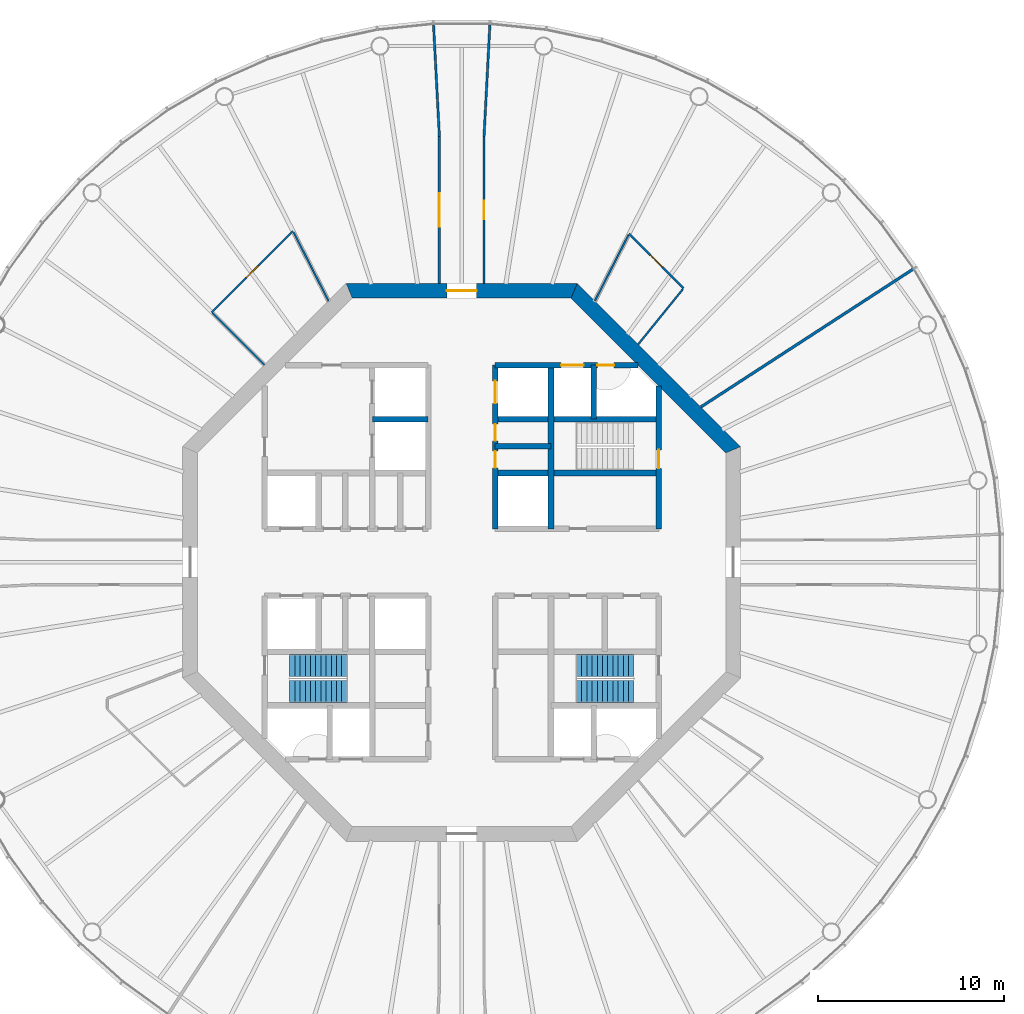
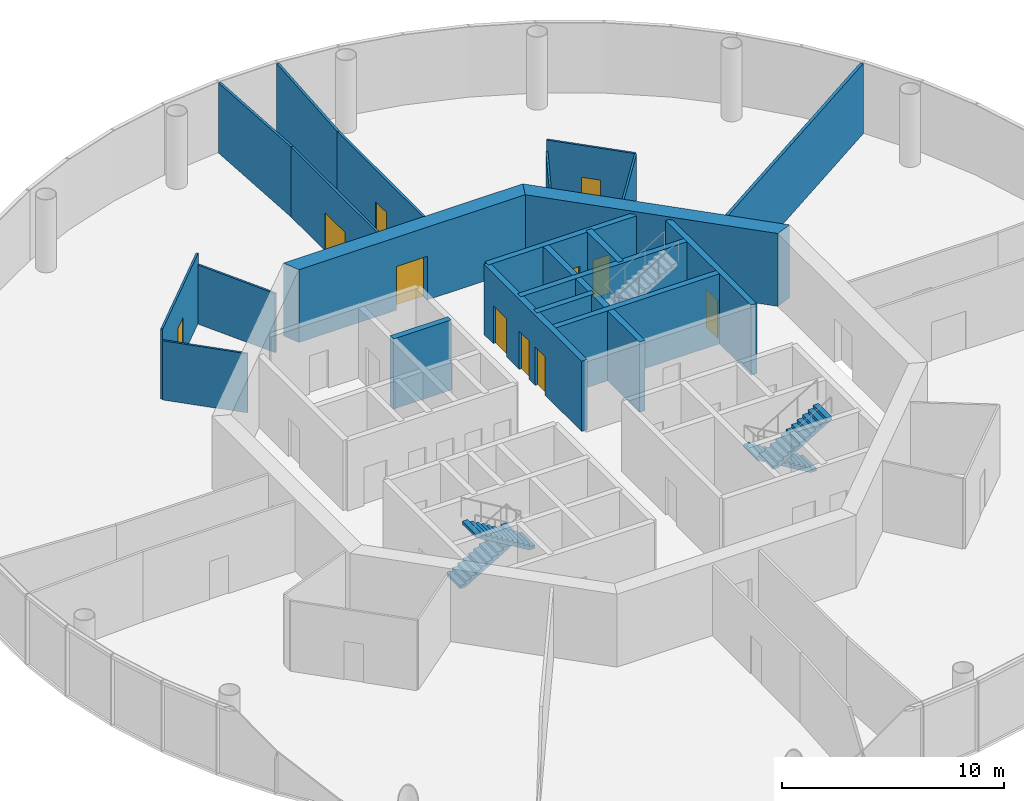
# One storey, part 5 of 13: 22 walls, 11 doors, 4 stair flights, 11 openings, 2 elements without a shape of their own.
"""IFC4 building model written with IfcOpenShell, lengths in metres."""

import ifcopenshell
import ifcopenshell.guid

model = None  # the IFC model being written
_history = None  # IfcOwnerHistory: only IFC2X3 demands one
_inside = {}  # id of a spatial element -> (the spatial element, [elements in it])
_under = {}  # id of a project, library or spatial element -> (it, [spatial elements below it])
_declared = {}  # id of a project -> (the project, [libraries it declares])
_typed = {}  # id of a type object -> (the type object, [elements of that type])
_made_of = {}  # id of a material, layer set ... -> (it, [elements and type objects made of it])


def new_model(schema):
    """Start an empty IFC model of exactly this schema.

    Asked for "IFC4X3", IfcOpenShell would pick the latest addendum, in which some entities
    have other attributes; the version numbers below select the first issue.
    IFC2X3 requires an IfcOwnerHistory on every rooted entity: one is made here for all.
    """
    global model, _history
    if schema == "IFC4X3":
        model = ifcopenshell.file(schema_version=(4, 3, 0, 0))
    else:
        model = ifcopenshell.file(schema=schema)
    _inside.clear()
    _under.clear()
    _declared.clear()
    _typed.clear()
    _made_of.clear()
    _history = None
    if model.schema == "IFC2X3":
        org = make("IfcOrganization", Name="unknown")
        user = make(
            "IfcPersonAndOrganization",
            ThePerson=make("IfcPerson", FamilyName="unknown"),
            TheOrganization=org,
        )
        app = make(
            "IfcApplication",
            ApplicationDeveloper=org,
            Version="unknown",
            ApplicationFullName="unknown",
            ApplicationIdentifier="unknown",
        )
        _history = make(
            "IfcOwnerHistory",
            OwningUser=user,
            OwningApplication=app,
            ChangeAction="ADDED",
            CreationDate=0,
        )
    return model


def make(cls, **values):
    """One entity of the class cls with the attributes given. An attribute that is None is left unset."""
    return model.create_entity(
        cls, **{name: value for name, value in values.items() if value is not None}
    )


def rooted(cls, **values):
    """An entity with a GlobalId (a new one), such as an element, a storey or a relation."""
    return make(cls, GlobalId=ifcopenshell.guid.new(), OwnerHistory=_history, **values)


def si_unit(unit_type, name, prefix=None):
    """IfcSIUnit, for example si_unit("LENGTHUNIT", "METRE", prefix="MILLI")."""
    return make("IfcSIUnit", UnitType=unit_type, Prefix=prefix, Name=name)


def assignment(units):
    """IfcUnitAssignment: the units of a project."""
    return None if units is None else make("IfcUnitAssignment", Units=units)


def point(xyz):
    """IfcCartesianPoint."""
    return None if xyz is None else make("IfcCartesianPoint", Coordinates=xyz)


def direction(xyz):
    """IfcDirection."""
    return None if xyz is None else make("IfcDirection", DirectionRatios=xyz)


def frame(location, z_axis=None, x_axis=None):
    """IfcAxis2Placement3D, a coordinate frame: its origin and axes. An axis left out is left unset."""
    return make(
        "IfcAxis2Placement3D",
        Location=point(location),
        Axis=direction(z_axis),
        RefDirection=direction(x_axis),
    )


def frame_2d(location, x_axis=None):
    """IfcAxis2Placement2D, a coordinate frame in the plane: its origin and x axis."""
    return make(
        "IfcAxis2Placement2D", Location=point(location), RefDirection=direction(x_axis)
    )


def origin():
    """The frame at (0, 0, 0) with its axes left unset."""
    return frame((0.0, 0.0, 0.0))


def place(relative_to, where):
    """IfcLocalPlacement: puts the frame where relative to a parent placement (None: the world)."""
    return make(
        "IfcLocalPlacement", PlacementRelTo=relative_to, RelativePlacement=where
    )


def context(
    kind, dimensions, precision=None, world=None, true_north=None, identifier=None
):
    """IfcGeometricRepresentationContext, for example the 3D "Model" context."""
    return make(
        "IfcGeometricRepresentationContext",
        ContextIdentifier=identifier,
        ContextType=kind,
        CoordinateSpaceDimension=dimensions,
        Precision=precision,
        WorldCoordinateSystem=world,
        TrueNorth=true_north,
    )


def subcontext(parent, identifier, kind, view, scale=None):
    """IfcGeometricRepresentationSubContext, for example "Body" below "Model"."""
    return make(
        "IfcGeometricRepresentationSubContext",
        ContextIdentifier=identifier,
        ContextType=kind,
        ParentContext=parent,
        TargetScale=scale,
        TargetView=view,
    )


def project(units=None, contexts=None):
    """IfcProject with its units and contexts."""
    return rooted(
        "IfcProject",
        Name="project",
        RepresentationContexts=contexts,
        UnitsInContext=assignment(units),
    )


def spatial(cls, under=None, at=None, **own):
    """A site, building, storey or space (cls), placed at a placement, below another one or the project."""
    s = rooted(cls, ObjectPlacement=at, **own)
    if under is not None:
        _under.setdefault(under.id(), (under, []))[1].append(s)
    return s


def polyline(points):
    """IfcPolyline through the points."""
    return make("IfcPolyline", Points=[point(p) for p in points])


def profile(cls, at=None, kind="AREA", **sizes):
    """A parametric profile (cls). Its sizes go by their IFC names, for example OverallWidth=200.0."""
    return make(cls, ProfileType=kind, Position=at, **sizes)


def rectangle(**sizes):
    """IfcRectangleProfileDef."""
    return profile("IfcRectangleProfileDef", **sizes)


def outline(outer, holes=None, kind="AREA"):
    """IfcArbitraryClosedProfileDef: a profile drawn as a closed curve; with holes, ...WithVoids."""
    if holes is None:
        return make("IfcArbitraryClosedProfileDef", ProfileType=kind, OuterCurve=outer)
    return make(
        "IfcArbitraryProfileDefWithVoids",
        ProfileType=kind,
        OuterCurve=outer,
        InnerCurves=holes,
    )


def extrude(swept, where, along, depth):
    """IfcExtrudedAreaSolid: the profile swept, set in the frame where, extruded along a direction by depth."""
    return make(
        "IfcExtrudedAreaSolid",
        SweptArea=swept,
        Position=where,
        ExtrudedDirection=direction(along),
        Depth=depth,
    )


def shape(context_of_items, identifier, shape_type, items):
    """IfcShapeRepresentation: the items that make up one representation, for example the "Body"."""
    return make(
        "IfcShapeRepresentation",
        ContextOfItems=context_of_items,
        RepresentationIdentifier=identifier,
        RepresentationType=shape_type,
        Items=items,
    )


def material(Name=None, Category=None):
    """IfcMaterial."""
    return make("IfcMaterial", Name=Name, Category=Category)


def layer(
    of_material, thickness, ventilated=None, Name=None, Category=None, Priority=None
):
    """IfcMaterialLayer: one layer of a wall or slab, of a material (None: an air gap)."""
    return make(
        "IfcMaterialLayer",
        Material=of_material,
        LayerThickness=thickness,
        IsVentilated=ventilated,
        Name=Name,
        Category=Category,
        Priority=Priority,
    )


def layer_set(layers, Name=None):
    """IfcMaterialLayerSet."""
    return make("IfcMaterialLayerSet", MaterialLayers=layers, LayerSetName=Name)


def made_of(thing, what):
    """Note that an element or type object is made of a material, layer set ...; save() writes the relation."""
    if what is not None:
        _made_of.setdefault(what.id(), (what, []))[1].append(thing)
    return thing


def type_object(cls, material=None, **own):
    """A type object (cls), such as IfcWallType, which elements share."""
    return made_of(rooted(cls, **own), material)


def element(
    cls,
    number,
    at=None,
    inside=None,
    cuts=None,
    type_object=None,
    material=None,
    context=None,
    identifier="Body",
    shape_type=None,
    held_by="IfcProductDefinitionShape",
    body=None,
    shapes=None,
    **own,
):
    """One element of the class cls, such as IfcWall. Its Tag is "e" and its number.

    at: its placement. inside: the storey or other place that contains it. cuts: it is an
    opening in that element (IfcRelVoidsElement). A single representation is given by context,
    identifier, shape_type and body (its items); several are given by shapes. held_by: the class
    of the entity that holds the representations. save() writes the other relations.
    """
    e = rooted(cls, Tag="e%d" % number, ObjectPlacement=at, **own)
    if body is not None:
        shapes = [shape(context, identifier, shape_type, body)]
    if shapes is not None:
        e.Representation = make(held_by, Representations=shapes)
    if inside is not None:
        _inside.setdefault(inside.id(), (inside, []))[1].append(e)
    if cuts is not None:
        rooted(
            "IfcRelVoidsElement", RelatingBuildingElement=cuts, RelatedOpeningElement=e
        )
    if type_object is not None:
        _typed.setdefault(type_object.id(), (type_object, []))[1].append(e)
    return made_of(e, material)


def fill(opening, filler):
    """IfcRelFillsElement: the door or window that sits in an opening."""
    return rooted(
        "IfcRelFillsElement",
        RelatingOpeningElement=opening,
        RelatedBuildingElement=filler,
    )


def aggregate(whole, parts):
    """IfcRelAggregates: a whole, such as a stair, and the parts it consists of."""
    return rooted("IfcRelAggregates", RelatingObject=whole, RelatedObjects=parts)


def save(model, path):
    """Write the relations noted so far, then the file.

    IfcRelAggregates (storeys below a building ...), IfcRelContainedInSpatialStructure (elements
    in a storey), IfcRelDefinesByType, IfcRelAssociatesMaterial and IfcRelDeclares: one each for
    every whole, place, type object, material and project.
    """
    for whole, parts in _under.values():
        aggregate(whole, parts)
    for where, things in _inside.values():
        rooted(
            "IfcRelContainedInSpatialStructure",
            RelatedElements=things,
            RelatingStructure=where,
        )
    for kind, things in _typed.values():
        rooted("IfcRelDefinesByType", RelatedObjects=things, RelatingType=kind)
    for what, things in _made_of.values():
        rooted("IfcRelAssociatesMaterial", RelatedObjects=things, RelatingMaterial=what)
    for by, libraries in _declared.values():
        rooted("IfcRelDeclares", RelatingContext=by, RelatedDefinitions=libraries)
    model.write(path)


model = new_model("IFC4")

# Units and contexts
model_context = context("Model", 3, precision=1e-05, world=origin(), true_north=direction((0.0, 1.0)))
body_context = subcontext(model_context, "Body", "Model", "MODEL_VIEW")
ifc_project = project(units=[si_unit("LENGTHUNIT", "METRE"), si_unit("AREAUNIT", "SQUARE_METRE"), si_unit("VOLUMEUNIT", "CUBIC_METRE"), si_unit("PLANEANGLEUNIT", "RADIAN"), si_unit("MASSUNIT", "GRAM", prefix="KILO")], contexts=[model_context])

# Site, building, storey
site_placement = place(None, origin())
site = spatial("IfcSite", under=ifc_project, at=site_placement, CompositionType="ELEMENT")
building_placement = place(site_placement, origin())
building = spatial("IfcBuilding", under=site, at=building_placement, Name="Entoto Ring Tower", CompositionType="ELEMENT")
storey_placement = place(building_placement, frame((0.0, 0.0, 298.0)))
storey = spatial("IfcBuildingStorey", under=building, at=storey_placement, Name="L68", CompositionType="ELEMENT", Elevation=298.0)

# Wall, opening, door
ifc_material_1 = material(Name="Concrete C40/50", Category="concrete")
ifc_layer_1 = layer(ifc_material_1, 0.300048828125)
ifc_layer_set_1 = layer_set([ifc_layer_1], Name="Concrete C40/50")
wall_type_1 = type_object("IfcWallType", Name="Core enclosure wall 300 mm reinforced concrete", PredefinedType="SOLIDWALL", material=ifc_layer_set_1)
wall_1_placement = place(storey_placement, frame((100.60009765625, 81.800048828125, 0.0), z_axis=(0.0, 0.0, 1.0), x_axis=(0.0, 1.0, 0.0)))
wall_1 = element("IfcWall", 1, at=wall_1_placement, inside=storey, type_object=wall_type_1, Name="wall-L68-002", PredefinedType="SOLIDWALL", context=body_context, shape_type="SweptSolid", body=[
    extrude(rectangle(XDim=7.681640625, YDim=0.300048828125, at=frame_2d((3.8408203125, 0.0))), origin(), (0.0, 0.0, 1.0), 3.85009765625),
])
opening_1_placement = place(wall_1_placement, frame((3.25, 0.0, 0.0)))
opening_1 = element("IfcOpeningElement", 2, at=opening_1_placement, cuts=wall_1, Name="Opening K-26", PredefinedType="OPENING", context=body_context, shape_type="SweptSolid", body=[
    extrude(rectangle(XDim=1.0, YDim=2.10009765625, at=frame_2d((0.5, 1.050048828125))), frame((0.0, 0.16015625, 0.0), z_axis=(0.0, -1.0, 0.0), x_axis=(1.0, 0.0, 0.0)), (0.0, 0.0, 1.0), 0.320068359375),
])
ifc_material_2 = material(Name="Steel door leaf, fire rated", Category="steel")
ifc_layer_2 = layer(ifc_material_2, 0.050048828125)
ifc_layer_set_2 = layer_set([ifc_layer_2], Name="Steel door leaf, fire rated")
door_type_1 = type_object("IfcDoorType", Name="Fire door FD60 1000 x 2100 single leaf", OperationType="NOTDEFINED", PredefinedType="DOOR", material=ifc_layer_set_2)
door_1_placement = place(opening_1_placement, origin())
door_1 = element("IfcDoor", 3, at=door_1_placement, inside=storey, type_object=door_type_1, Name="Door K-26", OperationType="SINGLE_SWING_LEFT", OverallHeight=2.10009765625, OverallWidth=1.0, PredefinedType="DOOR", context=body_context, shape_type="SweptSolid", body=[
    extrude(rectangle(XDim=1.0, YDim=2.10009765625, at=frame_2d((0.5, 1.050048828125))), frame((0.0, 0.02490234375, 0.0), z_axis=(0.0, -1.0, 0.0), x_axis=(1.0, 0.0, 0.0)), (0.0, 0.0, 1.0), 0.050048828125),
])
fill(opening_1, door_1)

# Walls
wall_2_placement = place(storey_placement, frame((97.10009765625, 87.699951171875, 0.0), z_axis=(0.0, 0.0, 1.0), x_axis=(0.0, 1.0, 0.0)))
element("IfcWall", 4, at=wall_2_placement, inside=storey, type_object=wall_type_1, Name="wall-L68-005", PredefinedType="SOLIDWALL", context=body_context, shape_type="SweptSolid", body=[
    extrude(rectangle(XDim=2.900146484375, YDim=0.300048828125, at=frame_2d((1.4501953125, 0.0))), origin(), (0.0, 0.0, 1.0), 3.85009765625),
])
wall_3_placement = place(storey_placement, frame((94.800048828125, 81.800048828125, 0.0), z_axis=(0.0, 0.0, 1.0), x_axis=(0.0, 1.0, 0.0)))
element("IfcWall", 5, at=wall_3_placement, inside=storey, type_object=wall_type_1, Name="wall-L68-007", PredefinedType="SOLIDWALL", context=body_context, shape_type="SweptSolid", body=[
    extrude(rectangle(XDim=8.800048828125, YDim=0.300048828125, at=frame_2d((4.39990234375, 0.0))), origin(), (0.0, 0.0, 1.0), 3.85009765625),
])

# Wall, openings, doors
wall_4_placement = place(storey_placement, frame((91.800048828125, 81.800048828125, 0.0), z_axis=(0.0, 0.0, 1.0), x_axis=(0.0, 1.0, 0.0)))
wall_4 = element("IfcWall", 6, at=wall_4_placement, inside=storey, type_object=wall_type_1, Name="wall-L68-009", PredefinedType="SOLIDWALL", context=body_context, shape_type="SweptSolid", body=[
    extrude(rectangle(XDim=8.800048828125, YDim=0.300048828125, at=frame_2d((4.39990234375, 0.0))), origin(), (0.0, 0.0, 1.0), 3.85009765625),
])
opening_2_placement = place(wall_4_placement, frame((6.75, 0.0, 0.0)))
opening_2 = element("IfcOpeningElement", 7, at=opening_2_placement, cuts=wall_4, Name="Opening LD", PredefinedType="OPENING", context=body_context, shape_type="SweptSolid", body=[
    extrude(rectangle(XDim=1.199951171875, YDim=2.10009765625, at=frame_2d((0.60009765625, 1.050048828125))), frame((0.0, 0.16015625, 0.0), z_axis=(0.0, -1.0, 0.0), x_axis=(1.0, 0.0, 0.0)), (0.0, 0.0, 1.0), 0.320068359375),
])
opening_3_placement = place(wall_4_placement, frame((3.27490234375, 0.0, 0.0)))
opening_3 = element("IfcOpeningElement", 8, at=opening_3_placement, cuts=wall_4, Name="Opening K-18", PredefinedType="OPENING", context=body_context, shape_type="SweptSolid", body=[
    extrude(rectangle(XDim=0.89990234375, YDim=2.10009765625, at=frame_2d((0.449951171875, 1.050048828125))), frame((0.0, 0.16015625, 0.0), z_axis=(0.0, -1.0, 0.0), x_axis=(1.0, 0.0, 0.0)), (0.0, 0.0, 1.0), 0.320068359375),
])
opening_4_placement = place(wall_4_placement, frame((4.72509765625, 0.0, 0.0)))
opening_4 = element("IfcOpeningElement", 9, at=opening_4_placement, cuts=wall_4, Name="Opening K-19", PredefinedType="OPENING", context=body_context, shape_type="SweptSolid", body=[
    extrude(rectangle(XDim=0.89990234375, YDim=2.10009765625, at=frame_2d((0.449951171875, 1.050048828125))), frame((0.0, 0.16015625, 0.0), z_axis=(0.0, -1.0, 0.0), x_axis=(1.0, 0.0, 0.0)), (0.0, 0.0, 1.0), 0.320068359375),
])
ifc_material_3 = material(Name="Steel door leaf, fire rated", Category="steel")
ifc_layer_3 = layer(ifc_material_3, 0.050048828125)
ifc_layer_set_3 = layer_set([ifc_layer_3], Name="Steel door leaf, fire rated")
door_type_2 = type_object("IfcDoorType", Name="Core door 900 x 2100 single leaf", OperationType="NOTDEFINED", PredefinedType="DOOR", material=ifc_layer_set_3)
door_2_placement = place(opening_3_placement, frame((0.89990234375, 0.0, 0.0), z_axis=(0.0, 0.0, 1.0), x_axis=(-1.0, 0.0, 0.0)))
door_2 = element("IfcDoor", 10, at=door_2_placement, inside=storey, type_object=door_type_2, Name="Door K-18", OperationType="SINGLE_SWING_LEFT", OverallHeight=2.10009765625, OverallWidth=0.89990234375, PredefinedType="DOOR", context=body_context, shape_type="SweptSolid", body=[
    extrude(rectangle(XDim=0.89990234375, YDim=2.10009765625, at=frame_2d((0.449951171875, 1.050048828125))), frame((0.0, 0.02490234375, 0.0), z_axis=(0.0, -1.0, 0.0), x_axis=(1.0, 0.0, 0.0)), (0.0, 0.0, 1.0), 0.050048828125),
])
fill(opening_3, door_2)
door_3_placement = place(opening_4_placement, frame((0.89990234375, 0.0, 0.0), z_axis=(0.0, 0.0, 1.0), x_axis=(-1.0, 0.0, 0.0)))
door_3 = element("IfcDoor", 11, at=door_3_placement, inside=storey, type_object=door_type_2, Name="Door K-19", OperationType="SINGLE_SWING_RIGHT", OverallHeight=2.10009765625, OverallWidth=0.89990234375, PredefinedType="DOOR", context=body_context, shape_type="SweptSolid", body=[
    extrude(rectangle(XDim=0.89990234375, YDim=2.10009765625, at=frame_2d((0.449951171875, 1.050048828125))), frame((0.0, 0.02490234375, 0.0), z_axis=(0.0, -1.0, 0.0), x_axis=(1.0, 0.0, 0.0)), (0.0, 0.0, 1.0), 0.050048828125),
])
fill(opening_4, door_3)
ifc_material_4 = material(Name="Steel and glass door leaf", Category="steel")
ifc_layer_4 = layer(ifc_material_4, 0.050048828125)
ifc_layer_set_4 = layer_set([ifc_layer_4], Name="Steel and glass door leaf")
door_type_3 = type_object("IfcDoorType", Name="Landing door 1200 x 2100 sliding", OperationType="DOUBLE_DOOR_SLIDING", PredefinedType="DOOR", material=ifc_layer_set_4)
door_4_placement = place(opening_2_placement, origin())
door_4 = element("IfcDoor", 12, at=door_4_placement, inside=storey, type_object=door_type_3, Name="Landing door SH3", OperationType="SLIDING_TO_RIGHT", OverallHeight=2.10009765625, OverallWidth=1.199951171875, PredefinedType="DOOR", context=body_context, shape_type="SweptSolid", body=[
    extrude(rectangle(XDim=1.199951171875, YDim=2.10009765625, at=frame_2d((0.60009765625, 1.050048828125))), frame((0.0, 0.02490234375, 0.0), z_axis=(0.0, -1.0, 0.0), x_axis=(1.0, 0.0, 0.0)), (0.0, 0.0, 1.0), 0.050048828125),
])
fill(opening_2, door_4)

# Walls
wall_5_placement = place(storey_placement, frame((91.800048828125, 84.800048828125, 0.0), z_axis=(0.0, 0.0, 1.0), x_axis=(1.0, 0.0, 0.0)))
element("IfcWall", 13, at=wall_5_placement, inside=storey, type_object=wall_type_1, Name="wall-L68-033", PredefinedType="SOLIDWALL", context=body_context, shape_type="SweptSolid", body=[
    extrude(rectangle(XDim=8.800048828125, YDim=0.300048828125, at=frame_2d((4.39990234375, 0.0))), origin(), (0.0, 0.0, 1.0), 3.85009765625),
])
for number, where, z_axis, x_axis, name in (
    (14, (91.800048828125, 86.25, 0.0), (0.0, 0.0, 1.0), (1.0, 0.0, 0.0), "wall-L68-034"),
    (15, (85.199951171875, 87.699951171875, 0.0), (0.0, 0.0, 1.0), (1.0, 0.0, 0.0), "wall-L68-035"),
):
    element("IfcWall", number, at=place(storey_placement, frame(where, z_axis=z_axis, x_axis=x_axis)), inside=storey, type_object=wall_type_1, Name=name, PredefinedType="SOLIDWALL", context=body_context, shape_type="SweptSolid", body=[
        extrude(rectangle(XDim=3.0, YDim=0.300048828125, at=frame_2d((1.5, 0.0))), origin(), (0.0, 0.0, 1.0), 3.85009765625),
    ])
wall_6_placement = place(storey_placement, frame((91.800048828125, 87.699951171875, 0.0), z_axis=(0.0, 0.0, 1.0), x_axis=(1.0, 0.0, 0.0)))
element("IfcWall", 16, at=wall_6_placement, inside=storey, type_object=wall_type_1, Name="wall-L68-036", PredefinedType="SOLIDWALL", context=body_context, shape_type="SweptSolid", body=[
    extrude(rectangle(XDim=8.800048828125, YDim=0.300048828125, at=frame_2d((4.39990234375, 0.0))), origin(), (0.0, 0.0, 1.0), 3.85009765625),
])

# Wall, openings, doors
wall_7_placement = place(storey_placement, frame((91.800048828125, 90.60009765625, 0.0), z_axis=(0.0, 0.0, 1.0), x_axis=(1.0, 0.0, 0.0)))
wall_7 = element("IfcWall", 17, at=wall_7_placement, inside=storey, type_object=wall_type_1, Name="wall-L68-038", PredefinedType="SOLIDWALL", context=body_context, shape_type="SweptSolid", body=[
    extrude(rectangle(XDim=7.681640625, YDim=0.300048828125, at=frame_2d((3.8408203125, 0.0))), origin(), (0.0, 0.0, 1.0), 3.85009765625),
])
opening_5_placement = place(wall_7_placement, frame((3.550048828125, 0.0, 0.0)))
opening_5 = element("IfcOpeningElement", 18, at=opening_5_placement, cuts=wall_7, Name="Opening LD", PredefinedType="OPENING", context=body_context, shape_type="SweptSolid", body=[
    extrude(rectangle(XDim=1.199951171875, YDim=2.10009765625, at=frame_2d((0.60009765625, 1.050048828125))), frame((0.0, 0.16015625, 0.0), z_axis=(0.0, -1.0, 0.0), x_axis=(1.0, 0.0, 0.0)), (0.0, 0.0, 1.0), 0.320068359375),
])
opening_6_placement = place(wall_7_placement, frame((5.5, 0.0, 0.0)))
opening_6 = element("IfcOpeningElement", 19, at=opening_6_placement, cuts=wall_7, Name="Opening K-83", PredefinedType="OPENING", context=body_context, shape_type="SweptSolid", body=[
    extrude(rectangle(XDim=0.89990234375, YDim=2.10009765625, at=frame_2d((0.449951171875, 1.050048828125))), frame((0.0, 0.16015625, 0.0), z_axis=(0.0, -1.0, 0.0), x_axis=(1.0, 0.0, 0.0)), (0.0, 0.0, 1.0), 0.320068359375),
])
door_5_placement = place(opening_5_placement, origin())
door_5 = element("IfcDoor", 20, at=door_5_placement, inside=storey, type_object=door_type_3, Name="Landing door LB1-HR", OperationType="SLIDING_TO_RIGHT", OverallHeight=2.10009765625, OverallWidth=1.199951171875, PredefinedType="DOOR", context=body_context, shape_type="SweptSolid", body=[
    extrude(rectangle(XDim=1.199951171875, YDim=2.10009765625, at=frame_2d((0.60009765625, 1.050048828125))), frame((0.0, 0.02490234375, 0.0), z_axis=(0.0, -1.0, 0.0), x_axis=(1.0, 0.0, 0.0)), (0.0, 0.0, 1.0), 0.050048828125),
])
fill(opening_5, door_5)
ifc_material_5 = material(Name="Steel door leaf, fire rated", Category="steel")
ifc_layer_5 = layer(ifc_material_5, 0.050048828125)
ifc_layer_set_5 = layer_set([ifc_layer_5], Name="Steel door leaf, fire rated")
door_type_4 = type_object("IfcDoorType", Name="Riser door FD60 900 x 2100 single leaf", OperationType="NOTDEFINED", PredefinedType="DOOR", material=ifc_layer_set_5)
door_6_placement = place(opening_6_placement, frame((0.89990234375, 0.0, 0.0), z_axis=(0.0, 0.0, 1.0), x_axis=(-1.0, 0.0, 0.0)))
door_6 = element("IfcDoor", 21, at=door_6_placement, inside=storey, type_object=door_type_4, Name="Door K-83", OperationType="SINGLE_SWING_RIGHT", OverallHeight=2.10009765625, OverallWidth=0.89990234375, PredefinedType="DOOR", context=body_context, shape_type="SweptSolid", body=[
    extrude(rectangle(XDim=0.89990234375, YDim=2.10009765625, at=frame_2d((0.449951171875, 1.050048828125))), frame((0.0, 0.02490234375, 0.0), z_axis=(0.0, -1.0, 0.0), x_axis=(1.0, 0.0, 0.0)), (0.0, 0.0, 1.0), 0.050048828125),
])
fill(opening_6, door_6)

# Wall
ifc_material_6 = material(Name="Concrete C40/50", Category="concrete")
ifc_layer_6 = layer(ifc_material_6, 0.800048828125)
ifc_layer_set_6 = layer_set([ifc_layer_6], Name="Concrete C40/50")
wall_type_2 = type_object("IfcWallType", Name="Core shear wall 800 mm reinforced concrete C40/50", PredefinedType="SHEAR", material=ifc_layer_set_6)
wall_8_placement = place(storey_placement, frame((104.60009765625, 86.047607421875, 0.0), z_axis=(0.0, 0.0, 1.0), x_axis=(-0.707106781187, 0.707106781187, 0.0)))
element("IfcWall", 22, at=wall_8_placement, inside=storey, type_object=wall_type_2, Name="wall-L68-core-1", PredefinedType="SHEAR", context=body_context, shape_type="SweptSolid", body=[
    extrude(outline(polyline([(-0.165771484375, -0.39990234375), (12.2607421875, -0.39990234375), (11.92919921875, 0.39990234375), (0.165771484375, 0.39990234375), (-0.165771484375, -0.39990234375)])), origin(), (0.0, 0.0, 1.0), 4.0),
])

# Wall, opening, door
wall_9_placement = place(storey_placement, frame((96.047607421875, 94.60009765625, 0.0), z_axis=(0.0, 0.0, 1.0), x_axis=(-1.0, 0.0, 0.0)))
wall_9 = element("IfcWall", 23, at=wall_9_placement, inside=storey, type_object=wall_type_2, Name="wall-L68-core-2", PredefinedType="SHEAR", context=body_context, shape_type="SweptSolid", body=[
    extrude(outline(polyline([(-0.165771484375, -0.39990234375), (12.260986328125, -0.39990234375), (11.929443359375, 0.39990234375), (0.165771484375, 0.39990234375), (-0.165771484375, -0.39990234375)])), origin(), (0.0, 0.0, 1.0), 4.0),
])
opening_7_placement = place(wall_9_placement, frame((5.24755859375, 0.0, 0.0)))
opening_7 = element("IfcOpeningElement", 24, at=opening_7_placement, cuts=wall_9, Name="Opening K-02", PredefinedType="OPENING", context=body_context, shape_type="SweptSolid", body=[
    extrude(rectangle(XDim=1.60009765625, YDim=2.39990234375, at=frame_2d((0.800048828125, 1.199951171875))), frame((0.0, 0.41015625, 0.0), z_axis=(0.0, -1.0, 0.0), x_axis=(1.0, 0.0, 0.0)), (0.0, 0.0, 1.0), 0.820068359375),
])
ifc_material_7 = material(Name="Steel door leaf, fire rated", Category="steel")
ifc_layer_7 = layer(ifc_material_7, 0.050048828125)
ifc_layer_set_7 = layer_set([ifc_layer_7], Name="Steel door leaf, fire rated")
door_type_5 = type_object("IfcDoorType", Name="Entrance door FD60 1600 x 2400 double leaf", OperationType="DOUBLE_DOOR_SINGLE_SWING", PredefinedType="DOOR", material=ifc_layer_set_7)
door_7_placement = place(opening_7_placement, origin())
door_7 = element("IfcDoor", 25, at=door_7_placement, inside=storey, type_object=door_type_5, Name="Entrance door K-02", OperationType="DOUBLE_DOOR_SINGLE_SWING", OverallHeight=2.39990234375, OverallWidth=1.60009765625, PredefinedType="DOOR", context=body_context, shape_type="SweptSolid", body=[
    extrude(rectangle(XDim=1.60009765625, YDim=2.39990234375, at=frame_2d((0.800048828125, 1.199951171875))), frame((0.0, 0.02490234375, 0.0), z_axis=(0.0, -1.0, 0.0), x_axis=(1.0, 0.0, 0.0)), (0.0, 0.0, 1.0), 0.050048828125),
])
fill(opening_7, door_7)

ifc_material_8 = material(Name="Fire-resisting plasterboard on steel studs", Category="steel")
ifc_layer_8 = layer(ifc_material_8, 0.125)
ifc_layer_set_8 = layer_set([ifc_layer_8], Name="Fire-resisting plasterboard on steel studs")
wall_type_3 = type_object("IfcWallType", Name="Corridor wall 125 mm one-hour plasterboard on steel studs", PredefinedType="PARTITIONING", material=ifc_layer_set_8)
wall_10_placement = place(storey_placement, frame((88.800048828125, 95.0, 0.0), z_axis=(0.0, 0.0, 1.0), x_axis=(0.0, 1.0, 0.0)))
wall_10 = element("IfcWall", 26, at=wall_10_placement, inside=storey, type_object=wall_type_3, Name="partition-L68-004", PredefinedType="PARTITIONING", context=body_context, shape_type="SweptSolid", body=[
    extrude(rectangle(XDim=7.8974609375, YDim=0.125, at=frame_2d((3.94873046875, 0.0))), origin(), (0.0, 0.0, 1.0), 3.85009765625),
])
opening_8_placement = place(wall_10_placement, frame((3.048583984375, 0.0, 0.0)))
opening_8 = element("IfcOpeningElement", 27, at=opening_8_placement, cuts=wall_10, Name="Opening A30-D04", PredefinedType="OPENING", context=body_context, shape_type="SweptSolid", body=[
    extrude(rectangle(XDim=1.800048828125, YDim=2.10009765625, at=frame_2d((0.89990234375, 1.050048828125))), frame((0.0, 0.072509765625, 0.0), z_axis=(0.0, -1.0, 0.0), x_axis=(1.0, 0.0, 0.0)), (0.0, 0.0, 1.0), 0.14501953125),
])
ifc_material_9 = material(Name="Fire-resisting timber door set", Category="wood")
door_type_6 = type_object("IfcDoorType", Name="Door 1800 x 2100 double leaf FD30S fire door", OperationType="DOUBLE_DOOR_SINGLE_SWING", PredefinedType="DOOR", material=ifc_material_9)
door_8_placement = place(opening_8_placement, origin())
door_8 = element("IfcDoor", 28, at=door_8_placement, inside=storey, type_object=door_type_6, Name="Door A30-D04", OperationType="DOUBLE_DOOR_SINGLE_SWING", OverallHeight=2.10009765625, OverallWidth=1.800048828125, PredefinedType="DOOR", context=body_context, shape_type="SweptSolid", body=[
    extrude(rectangle(XDim=1.800048828125, YDim=2.10009765625, at=frame_2d((0.89990234375, 1.050048828125))), frame((0.0, 0.02490234375, 0.0), z_axis=(0.0, -1.0, 0.0), x_axis=(1.0, 0.0, 0.0)), (0.0, 0.0, 1.0), 0.050048828125),
])
fill(opening_8, door_8)

wall_11_placement = place(storey_placement, frame((91.199951171875, 95.0, 0.0), z_axis=(0.0, 0.0, 1.0), x_axis=(0.0, 1.0, 0.0)))
wall_11 = element("IfcWall", 29, at=wall_11_placement, inside=storey, type_object=wall_type_3, Name="partition-L68-006", PredefinedType="PARTITIONING", context=body_context, shape_type="SweptSolid", body=[
    extrude(rectangle(XDim=7.8974609375, YDim=0.125, at=frame_2d((3.94873046875, 0.0))), origin(), (0.0, 0.0, 1.0), 3.85009765625),
])
opening_9_placement = place(wall_11_placement, frame((3.44873046875, 0.0, 0.0)))
opening_9 = element("IfcOpeningElement", 30, at=opening_9_placement, cuts=wall_11, Name="Opening A30-D02", PredefinedType="OPENING", context=body_context, shape_type="SweptSolid", body=[
    extrude(rectangle(XDim=1.0, YDim=2.10009765625, at=frame_2d((0.5, 1.050048828125))), frame((0.0, 0.072509765625, 0.0), z_axis=(0.0, -1.0, 0.0), x_axis=(1.0, 0.0, 0.0)), (0.0, 0.0, 1.0), 0.14501953125),
])
ifc_material_10 = material(Name="Fire-resisting timber door set", Category="wood")
door_type_7 = type_object("IfcDoorType", Name="Door 1000 x 2100 single leaf FD30S fire door", OperationType="NOTDEFINED", PredefinedType="DOOR", material=ifc_material_10)
door_9_placement = place(opening_9_placement, frame((1.0, 0.0, 0.0), z_axis=(0.0, 0.0, 1.0), x_axis=(-1.0, 0.0, 0.0)))
door_9 = element("IfcDoor", 31, at=door_9_placement, inside=storey, type_object=door_type_7, Name="Door A30-D02", OperationType="SINGLE_SWING_RIGHT", OverallHeight=2.10009765625, OverallWidth=1.0, PredefinedType="DOOR", context=body_context, shape_type="SweptSolid", body=[
    extrude(rectangle(XDim=1.0, YDim=2.10009765625, at=frame_2d((0.5, 1.050048828125))), frame((0.0, 0.02490234375, 0.0), z_axis=(0.0, -1.0, 0.0), x_axis=(1.0, 0.0, 0.0)), (0.0, 0.0, 1.0), 0.050048828125),
])
fill(opening_9, door_9)

# Walls
for number, where, z_axis, x_axis, name in (
    (32, (88.7998046875, 102.900634765625, 0.0), (0.0, 0.0, 1.0), (-0.052339150565, 0.998629367342, 0.0), "partition-L68-012"),
    (33, (91.2001953125, 102.900634765625, 0.0), (0.0, 0.0, 1.0), (0.052339150565, 0.998629367342, 0.0), "partition-L68-013"),
):
    element("IfcWall", number, at=place(storey_placement, frame(where, z_axis=z_axis, x_axis=x_axis)), inside=storey, type_object=wall_type_3, Name=name, PredefinedType="PARTITIONING", context=body_context, shape_type="SweptSolid", body=[
        extrude(rectangle(XDim=6.008056640625, YDim=0.125, at=frame_2d((3.00390625, 0.0))), origin(), (0.0, 0.0, 1.0), 3.85009765625),
    ])

# Wall, opening, door
ifc_material_11 = material(Name="Plasterboard on steel studs", Category="steel")
ifc_layer_9 = layer(ifc_material_11, 0.10009765625)
ifc_layer_set_9 = layer_set([ifc_layer_9], Name="Plasterboard on steel studs")
wall_type_4 = type_object("IfcWallType", Name="Partition 100 mm plasterboard on steel studs", PredefinedType="PARTITIONING", material=ifc_layer_set_9)
wall_12_placement = place(storey_placement, frame((76.557861328125, 93.442138671875, 0.0), z_axis=(0.0, 0.0, 1.0), x_axis=(0.707106781187, 0.707106781187, 0.0)))
wall_12 = element("IfcWall", 34, at=wall_12_placement, inside=storey, type_object=wall_type_4, Name="partition-L68-019", PredefinedType="PARTITIONING", context=body_context, shape_type="SweptSolid", body=[
    extrude(rectangle(XDim=6.1767578125, YDim=0.10009765625, at=frame_2d((3.08837890625, 0.0))), origin(), (0.0, 0.0, 1.0), 3.85009765625),
])
opening_10_placement = place(wall_12_placement, frame((2.638427734375, 0.0, 0.0)))
opening_10 = element("IfcOpeningElement", 35, at=opening_10_placement, cuts=wall_12, Name="Opening A30-D05", PredefinedType="OPENING", context=body_context, shape_type="SweptSolid", body=[
    extrude(rectangle(XDim=0.89990234375, YDim=2.10009765625, at=frame_2d((0.449951171875, 1.050048828125))), frame((0.0, 0.06005859375, 0.0), z_axis=(0.0, -1.0, 0.0), x_axis=(1.0, 0.0, 0.0)), (0.0, 0.0, 1.0), 0.1201171875),
])
ifc_material_12 = material(Name="Veneered timber door leaf in timber frame", Category="wood")
door_type_8 = type_object("IfcDoorType", Name="Door 900 x 2100 single leaf timber veneer", OperationType="NOTDEFINED", PredefinedType="DOOR", material=ifc_material_12)
door_10_placement = place(opening_10_placement, frame((0.89990234375, 0.0, 0.0), z_axis=(0.0, 0.0, 1.0), x_axis=(-1.0, 0.0, 0.0)))
door_10 = element("IfcDoor", 36, at=door_10_placement, inside=storey, type_object=door_type_8, Name="Door A30-D05", OperationType="SINGLE_SWING_LEFT", OverallHeight=2.10009765625, OverallWidth=0.89990234375, PredefinedType="DOOR", context=body_context, shape_type="SweptSolid", body=[
    extrude(rectangle(XDim=0.89990234375, YDim=2.10009765625, at=frame_2d((0.449951171875, 1.050048828125))), frame((0.0, 0.02490234375, 0.0), z_axis=(0.0, -1.0, 0.0), x_axis=(1.0, 0.0, 0.0)), (0.0, 0.0, 1.0), 0.050048828125),
])
fill(opening_10, door_10)

wall_13_placement = place(storey_placement, frame((101.927978515625, 94.72998046875, 0.0), z_axis=(0.0, 0.0, 1.0), x_axis=(-0.707106781187, 0.707106781187, 0.0)))
wall_13 = element("IfcWall", 37, at=wall_13_placement, inside=storey, type_object=wall_type_4, Name="partition-L68-024", PredefinedType="PARTITIONING", context=body_context, shape_type="SweptSolid", body=[
    extrude(rectangle(XDim=4.1435546875, YDim=0.10009765625, at=frame_2d((2.07177734375, 0.0))), origin(), (0.0, 0.0, 1.0), 3.85009765625),
])
opening_11_placement = place(wall_13_placement, frame((1.621826171875, 0.0, 0.0)))
opening_11 = element("IfcOpeningElement", 38, at=opening_11_placement, cuts=wall_13, Name="Opening A30-D03", PredefinedType="OPENING", context=body_context, shape_type="SweptSolid", body=[
    extrude(rectangle(XDim=0.89990234375, YDim=2.10009765625, at=frame_2d((0.449951171875, 1.050048828125))), frame((0.0, 0.06005859375, 0.0), z_axis=(0.0, -1.0, 0.0), x_axis=(1.0, 0.0, 0.0)), (0.0, 0.0, 1.0), 0.1201171875),
])
door_11_placement = place(opening_11_placement, origin())
door_11 = element("IfcDoor", 39, at=door_11_placement, inside=storey, type_object=door_type_8, Name="Door A30-D03", OperationType="SINGLE_SWING_RIGHT", OverallHeight=2.10009765625, OverallWidth=0.89990234375, PredefinedType="DOOR", context=body_context, shape_type="SweptSolid", body=[
    extrude(rectangle(XDim=0.89990234375, YDim=2.10009765625, at=frame_2d((0.449951171875, 1.050048828125))), frame((0.0, 0.02490234375, 0.0), z_axis=(0.0, -1.0, 0.0), x_axis=(1.0, 0.0, 0.0)), (0.0, 0.0, 1.0), 0.050048828125),
])
fill(opening_11, door_11)

# Walls
wall_14_placement = place(storey_placement, frame((99.49169921875, 91.721435546875, 0.0), z_axis=(0.0, 0.0, 1.0), x_axis=(0.629319512753, 0.777146672687, 0.0)))
element("IfcWall", 40, at=wall_14_placement, inside=storey, type_object=wall_type_4, Name="partition-L68-030", PredefinedType="PARTITIONING", context=body_context, shape_type="SweptSolid", body=[
    extrude(rectangle(XDim=3.821533203125, YDim=0.10009765625, at=frame_2d((1.91064453125, 0.0))), origin(), (0.0, 0.0, 1.0), 3.85009765625),
])
ifc_material_13 = material(Name="Plasterboard on steel studs", Category="steel")
ifc_layer_10 = layer(ifc_material_13, 0.10009765625)
ifc_layer_set_10 = layer_set([ifc_layer_10], Name="Plasterboard on steel studs")
wall_type_5 = type_object("IfcWallType", Name="Partition 100 mm plasterboard on steel studs, 3250 mm high", PredefinedType="PARTITIONING", material=ifc_layer_set_10)
wall_15_placement = place(storey_placement, frame((82.839599609375, 94.052978515625, 0.0), z_axis=(0.0, 0.0, 1.0), x_axis=(-0.453958407488, 0.891022875279, 0.0)))
element("IfcWall", 41, at=wall_15_placement, inside=storey, type_object=wall_type_5, Name="partition-L68-023", PredefinedType="PARTITIONING", context=body_context, shape_type="SweptSolid", body=[
    extrude(rectangle(XDim=4.1474609375, YDim=0.10009765625, at=frame_2d((2.07373046875, 0.0))), origin(), (0.0, 0.0, 1.0), 3.25),
])
wall_16_placement = place(storey_placement, frame((97.160400390625, 94.052978515625, 0.0), z_axis=(0.0, 0.0, 1.0), x_axis=(0.453949677303, 0.891027323081, 0.0)))
element("IfcWall", 42, at=wall_16_placement, inside=storey, type_object=wall_type_5, Name="partition-L68-026", PredefinedType="PARTITIONING", context=body_context, shape_type="SweptSolid", body=[
    extrude(rectangle(XDim=3.979248046875, YDim=0.10009765625, at=frame_2d((1.98974609375, 0.0))), origin(), (0.0, 0.0, 1.0), 3.25),
])
wall_17_placement = place(storey_placement, frame((79.393310546875, 90.606689453125, 0.0), z_axis=(0.0, 0.0, 1.0), x_axis=(-0.707106781187, 0.707106781187, 0.0)))
element("IfcWall", 43, at=wall_17_placement, inside=storey, type_object=wall_type_5, Name="partition-L68-027", PredefinedType="PARTITIONING", context=body_context, shape_type="SweptSolid", body=[
    extrude(rectangle(XDim=3.9599609375, YDim=0.10009765625, at=frame_2d((1.97998046875, 0.0))), origin(), (0.0, 0.0, 1.0), 3.25),
])
ifc_material_14 = material(Name="Fire-resisting acoustic plasterboard on steel studs", Category="steel")
ifc_layer_11 = layer(ifc_material_14, 0.14990234375)
ifc_layer_set_11 = layer_set([ifc_layer_11], Name="Fire-resisting acoustic plasterboard on steel studs")
wall_type_6 = type_object("IfcWallType", Name="Party wall 150 mm one-hour acoustic plasterboard on steel studs", PredefinedType="PARTITIONING", material=ifc_layer_set_11)
wall_18_placement = place(storey_placement, frame((102.861083984375, 88.35205078125, 0.0), z_axis=(0.0, 0.0, 1.0), x_axis=(0.838662894558, 0.544650850813, 0.0)))
element("IfcWall", 44, at=wall_18_placement, inside=storey, type_object=wall_type_6, Name="partition-L68-018", PredefinedType="PARTITIONING", context=body_context, shape_type="SweptSolid", body=[
    extrude(rectangle(XDim=13.60498046875, YDim=0.14990234375, at=frame_2d((6.802490234375, 0.0))), origin(), (0.0, 0.0, 1.0), 3.85009765625),
])

# Stair, stair flights
ifc_material_15 = material(Name="Concrete C40/50", Category="concrete")
stair_type = type_object("IfcStairType", Name="Exit stair 1200 mm dog-leg reinforced concrete", PredefinedType="HALF_TURN_STAIR", material=ifc_material_15)
stair_1_placement = place(storey_placement, origin())
stair_1 = element("IfcStair", 45, at=stair_1_placement, inside=storey, type_object=stair_type, Name="Exit stair 2", PredefinedType="HALF_TURN_STAIR")
ifc_material_16 = material(Name="Concrete C40/50", Category="concrete")
stair_flight_type = type_object("IfcStairFlightType", Name="Stair flight 1200 mm reinforced concrete", PredefinedType="STRAIGHT", material=ifc_material_16)
stair_flight_1_placement = place(storey_placement, frame((80.75, 74.449951171875, 0.0), z_axis=(0.0, 0.0, 1.0), x_axis=(1.0, 0.0, 0.0)))
stair_flight_1 = element("IfcStairFlight", 46, at=stair_flight_1_placement, type_object=stair_flight_type, Name="ST2 flight 1", NumberOfRisers=12, NumberOfTreads=11, PredefinedType="STRAIGHT", RiserHeight=0.166666667, TreadLength=0.28, context=body_context, shape_type="SweptSolid", body=[
    extrude(outline(polyline([(0.0, 0.0), (0.0, 0.166748046875), (0.280029296875, 0.166748046875), (0.280029296875, 0.333251953125), (0.56005859375, 0.333251953125), (0.56005859375, 0.5), (0.840087890625, 0.5), (0.840087890625, 0.666748046875), (1.1201171875, 0.666748046875), (1.1201171875, 0.833251953125), (1.39990234375, 0.833251953125), (1.39990234375, 1.0), (1.679931640625, 1.0), (1.679931640625, 1.166748046875), (1.9599609375, 1.166748046875), (1.9599609375, 1.333251953125), (2.239990234375, 1.333251953125), (2.239990234375, 1.5), (2.52001953125, 1.5), (2.52001953125, 1.666748046875), (2.800048828125, 1.666748046875), (2.800048828125, 1.833251953125), (3.080078125, 1.833251953125), (3.080078125, 2.0), (3.080078125, 1.658935546875), (0.29296875, 0.0), (0.0, 0.0)])), frame((0.0, 0.60009765625, 0.0), z_axis=(0.0, -1.0, 0.0), x_axis=(1.0, 0.0, 0.0)), (0.0, 0.0, 1.0), 1.199951171875),
])
stair_flight_2_placement = place(storey_placement, frame((83.830078125, 73.050048828125, 2.0), z_axis=(0.0, 0.0, 1.0), x_axis=(-1.0, 0.0, 0.0)))
stair_flight_2 = element("IfcStairFlight", 47, at=stair_flight_2_placement, type_object=stair_flight_type, Name="ST2 flight 2", NumberOfRisers=12, NumberOfTreads=11, PredefinedType="STRAIGHT", RiserHeight=0.166666667, TreadLength=0.28, context=body_context, shape_type="SweptSolid", body=[
    extrude(outline(polyline([(0.0, 0.0), (0.0, 0.166748046875), (0.280029296875, 0.166748046875), (0.280029296875, 0.333251953125), (0.56005859375, 0.333251953125), (0.56005859375, 0.5), (0.840087890625, 0.5), (0.840087890625, 0.666748046875), (1.1201171875, 0.666748046875), (1.1201171875, 0.833251953125), (1.39990234375, 0.833251953125), (1.39990234375, 1.0), (1.679931640625, 1.0), (1.679931640625, 1.166748046875), (1.9599609375, 1.166748046875), (1.9599609375, 1.333251953125), (2.239990234375, 1.333251953125), (2.239990234375, 1.5), (2.52001953125, 1.5), (2.52001953125, 1.666748046875), (2.800048828125, 1.666748046875), (2.800048828125, 1.833251953125), (3.080078125, 1.833251953125), (3.080078125, 2.0), (3.080078125, 1.658935546875), (0.29296875, 0.0), (0.0, 0.0)])), frame((0.0, 0.60009765625, 0.0), z_axis=(0.0, -1.0, 0.0), x_axis=(1.0, 0.0, 0.0)), (0.0, 0.0, 1.0), 1.199951171875),
])
aggregate(stair_1, [stair_flight_1, stair_flight_2])

stair_2_placement = place(storey_placement, origin())
stair_2 = element("IfcStair", 48, at=stair_2_placement, inside=storey, type_object=stair_type, Name="Exit stair 3", PredefinedType="HALF_TURN_STAIR")
stair_flight_3_placement = place(storey_placement, frame((99.25, 74.449951171875, 0.0), z_axis=(0.0, 0.0, 1.0), x_axis=(-1.0, 0.0, 0.0)))
stair_flight_3 = element("IfcStairFlight", 49, at=stair_flight_3_placement, type_object=stair_flight_type, Name="ST3 flight 1", NumberOfRisers=12, NumberOfTreads=11, PredefinedType="STRAIGHT", RiserHeight=0.166666667, TreadLength=0.28, context=body_context, shape_type="SweptSolid", body=[
    extrude(outline(polyline([(0.0, 0.0), (0.0, 0.166748046875), (0.280029296875, 0.166748046875), (0.280029296875, 0.333251953125), (0.56005859375, 0.333251953125), (0.56005859375, 0.5), (0.840087890625, 0.5), (0.840087890625, 0.666748046875), (1.1201171875, 0.666748046875), (1.1201171875, 0.833251953125), (1.39990234375, 0.833251953125), (1.39990234375, 1.0), (1.679931640625, 1.0), (1.679931640625, 1.166748046875), (1.9599609375, 1.166748046875), (1.9599609375, 1.333251953125), (2.239990234375, 1.333251953125), (2.239990234375, 1.5), (2.52001953125, 1.5), (2.52001953125, 1.666748046875), (2.800048828125, 1.666748046875), (2.800048828125, 1.833251953125), (3.080078125, 1.833251953125), (3.080078125, 2.0), (3.080078125, 1.658935546875), (0.29296875, 0.0), (0.0, 0.0)])), frame((0.0, 0.60009765625, 0.0), z_axis=(0.0, -1.0, 0.0), x_axis=(1.0, 0.0, 0.0)), (0.0, 0.0, 1.0), 1.199951171875),
])
stair_flight_4_placement = place(storey_placement, frame((96.169921875, 73.050048828125, 2.0), z_axis=(0.0, 0.0, 1.0), x_axis=(1.0, 0.0, 0.0)))
stair_flight_4 = element("IfcStairFlight", 50, at=stair_flight_4_placement, type_object=stair_flight_type, Name="ST3 flight 2", NumberOfRisers=12, NumberOfTreads=11, PredefinedType="STRAIGHT", RiserHeight=0.166666667, TreadLength=0.28, context=body_context, shape_type="SweptSolid", body=[
    extrude(outline(polyline([(0.0, 0.0), (0.0, 0.166748046875), (0.280029296875, 0.166748046875), (0.280029296875, 0.333251953125), (0.56005859375, 0.333251953125), (0.56005859375, 0.5), (0.840087890625, 0.5), (0.840087890625, 0.666748046875), (1.1201171875, 0.666748046875), (1.1201171875, 0.833251953125), (1.39990234375, 0.833251953125), (1.39990234375, 1.0), (1.679931640625, 1.0), (1.679931640625, 1.166748046875), (1.9599609375, 1.166748046875), (1.9599609375, 1.333251953125), (2.239990234375, 1.333251953125), (2.239990234375, 1.5), (2.52001953125, 1.5), (2.52001953125, 1.666748046875), (2.800048828125, 1.666748046875), (2.800048828125, 1.833251953125), (3.080078125, 1.833251953125), (3.080078125, 2.0), (3.080078125, 1.658935546875), (0.29296875, 0.0), (0.0, 0.0)])), frame((0.0, 0.60009765625, 0.0), z_axis=(0.0, -1.0, 0.0), x_axis=(1.0, 0.0, 0.0)), (0.0, 0.0, 1.0), 1.199951171875),
])
aggregate(stair_2, [stair_flight_3, stair_flight_4])

save(model, "model.ifc")
